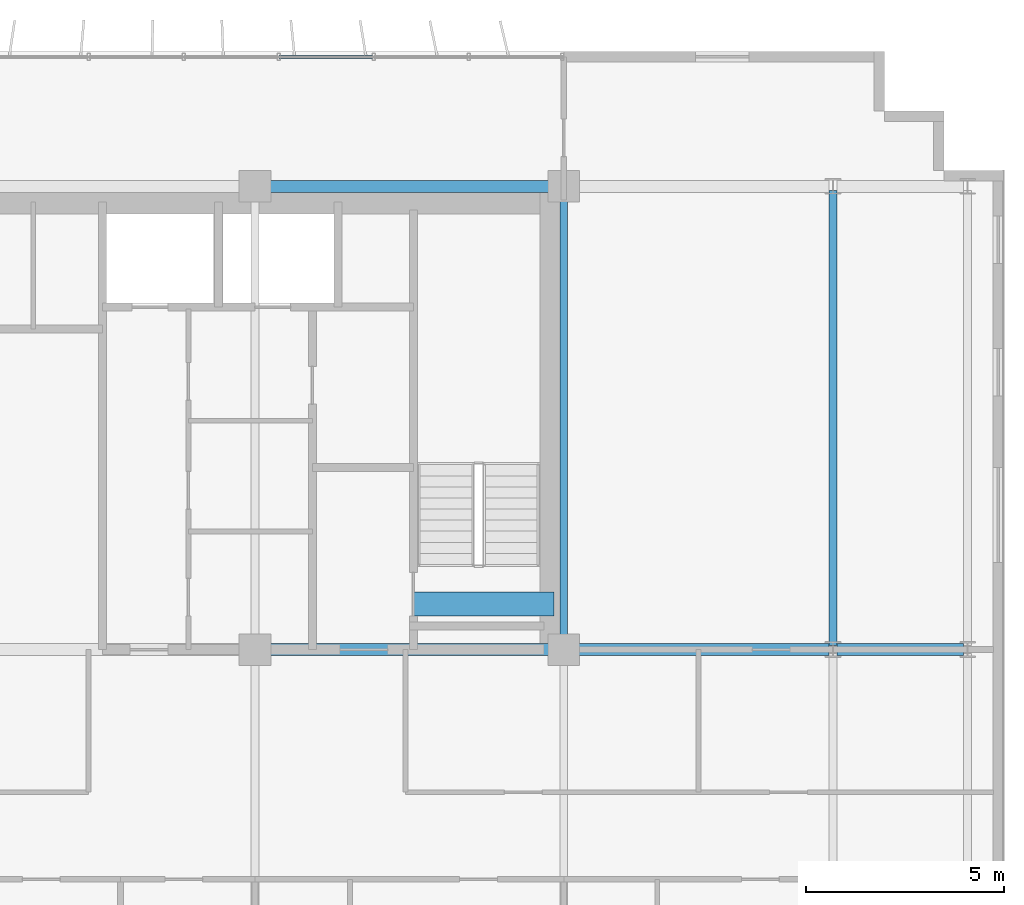
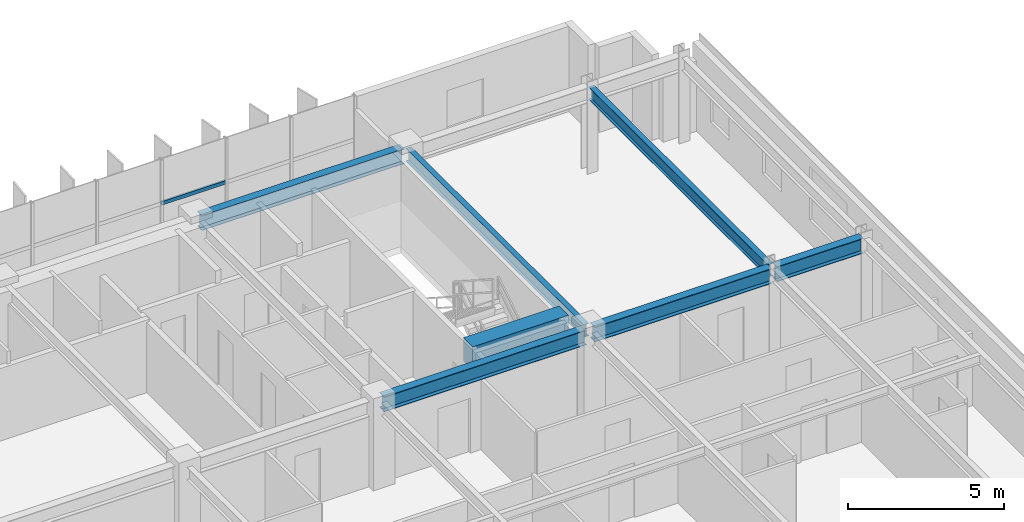
# One storey, part 10 of 22: 7 beams, 1 member, 1 element without a shape of its own.
"""IFC4 building model written with IfcOpenShell, lengths in metres."""

from ifc_helpers import new_model, si_unit, direction, frame, origin, origin_2d, place, context, subcontext, project, spatial, rectangle, hollow_rectangle, i_section, extrude, source, transform, mapped, material, material_profile, profile_set, type_object, element, aggregate, save


model = new_model("IFC4")

# Units and contexts
model_context = context("Model", 3, precision=1e-05, world=origin(), true_north=direction((0.0, 1.0)))
body_context = subcontext(model_context, "Body", "Model", "MODEL_VIEW")
ifc_project = project(units=[si_unit("LENGTHUNIT", "METRE"), si_unit("AREAUNIT", "SQUARE_METRE"), si_unit("VOLUMEUNIT", "CUBIC_METRE"), si_unit("PLANEANGLEUNIT", "RADIAN"), si_unit("MASSUNIT", "GRAM", prefix="KILO")], contexts=[model_context])

# Site, building, storey
site_placement = place(None, origin())
site = spatial("IfcSite", under=ifc_project, at=site_placement, CompositionType="ELEMENT")
building_placement = place(site_placement, origin())
building = spatial("IfcBuilding", under=site, at=building_placement, Name="Trelvane Seafront Commons", CompositionType="ELEMENT")
storey_placement = place(building_placement, frame((0.0, 0.0, 99.699951171875)))
storey = spatial("IfcBuildingStorey", under=building, at=storey_placement, Name="L25", CompositionType="ELEMENT", Elevation=99.699951171875)

# Beams
ifc_material_1 = material(Name="Concrete C60/75", Category="concrete")
ifc_material_profile_1 = material_profile(ifc_material_1, rectangle(XDim=0.60009765625, YDim=0.89990234375, at=origin_2d()), Name="RC-600x900")
ifc_profile_set_1 = profile_set([ifc_material_profile_1], Name="Concrete C60/75")
beam_type_1 = type_object("IfcBeamType", Name="STR-LNT-RC600x900", PredefinedType="LINTEL", material=ifc_profile_set_1)
shared_shape_1 = source(origin(), body_context, "Body", "SweptSolid", [
    extrude(rectangle(XDim=0.60009765625, YDim=0.89990234375, at=origin_2d()), origin(), (0.0, 0.0, 1.0), 3.550048828125),
])
beam_1_placement = place(storey_placement, frame((55.0, 34.550048828125, 2.89013671875), z_axis=(1.0, 0.0, 0.0), x_axis=(0.0, 1.0, 0.0)))
element("IfcBeam", 1, at=beam_1_placement, inside=storey, type_object=beam_type_1, Name="L25 Core Coupling Lintel Beam CB-86", PredefinedType="LINTEL", context=body_context, shape_type="MappedRepresentation", body=[
    mapped(shared_shape_1, transform((0.0, 0.0, 0.0), x_axis=(1.0, 0.0, 0.0), y_axis=(0.0, 1.0, 0.0), z_axis=(0.0, 0.0, 1.0), scale=1.0)),
])
ifc_material_2 = material(Name="Steel SM355 (S355)", Category="steel")
ifc_material_profile_2 = material_profile(ifc_material_2, i_section(OverallWidth=0.300048828125, OverallDepth=0.587890625, WebThickness=0.011962890625, FlangeThickness=0.02001953125, at=origin_2d()), Name="H-588x300x12x20")
ifc_profile_set_2 = profile_set([ifc_material_profile_2], Name="Steel SM355 (S355)")
beam_type_2 = type_object("IfcBeamType", Name="STR-BM-H588", PredefinedType="BEAM", material=ifc_profile_set_2)
shared_shape_2 = source(origin(), body_context, "Body", "SweptSolid", [
    extrude(i_section(OverallWidth=0.300048828125, OverallDepth=0.587890625, WebThickness=0.011962890625, FlangeThickness=0.02001953125, at=origin_2d()), origin(), (0.0, 0.0, 1.0), 3.199951171875),
])
beam_2_placement = place(storey_placement, frame((65.699951171875, 33.39990234375, 3.046142578125), z_axis=(1.0, 0.0, 0.0), x_axis=(0.0, 1.0, 0.0)))
element("IfcBeam", 2, at=beam_2_placement, inside=storey, type_object=beam_type_2, Name="L25 Primary Girder G-27", PredefinedType="BEAM", context=body_context, shape_type="MappedRepresentation", body=[
    mapped(shared_shape_2, transform((0.0, 0.0, 0.0), x_axis=(1.0, 0.0, 0.0), y_axis=(0.0, 1.0, 0.0), z_axis=(0.0, 0.0, 1.0), scale=1.0)),
])
shared_shape_3 = source(origin(), body_context, "Body", "SweptSolid", [
    extrude(i_section(OverallWidth=0.300048828125, OverallDepth=0.587890625, WebThickness=0.011962890625, FlangeThickness=0.02001953125, at=origin_2d()), origin(), (0.0, 0.0, 1.0), 6.550048828125),
])
beam_3_placement = place(storey_placement, frame((58.949951171875, 33.39990234375, 3.046142578125), z_axis=(1.0, 0.0, 0.0), x_axis=(0.0, 1.0, 0.0)))
element("IfcBeam", 3, at=beam_3_placement, inside=storey, type_object=beam_type_2, Name="L25 Primary Girder G-26", PredefinedType="BEAM", context=body_context, shape_type="MappedRepresentation", body=[
    mapped(shared_shape_3, transform((0.0, 0.0, 0.0), x_axis=(1.0, 0.0, 0.0), y_axis=(0.0, 1.0, 0.0), z_axis=(0.0, 0.0, 1.0), scale=1.0)),
])
shared_shape_4 = source(origin(), body_context, "Body", "SweptSolid", [
    extrude(i_section(OverallWidth=0.300048828125, OverallDepth=0.587890625, WebThickness=0.011962890625, FlangeThickness=0.02001953125, at=origin_2d()), origin(), (0.0, 0.0, 1.0), 7.5),
])
for number, where, z_axis, x_axis, name in (
    (4, (51.14990234375, 33.39990234375, 3.046142578125), (1.0, 0.0, 0.0), (0.0, 1.0, 0.0), "L25 Primary Girder G-25"),
    (5, (51.14990234375, 45.10009765625, 3.046142578125), (1.0, 0.0, 0.0), (0.0, 1.0, 0.0), "L25 Primary Girder G-34"),
):
    element("IfcBeam", number, at=place(storey_placement, frame(where, z_axis=z_axis, x_axis=x_axis)), inside=storey, type_object=beam_type_2, Name=name, PredefinedType="BEAM", context=body_context, shape_type="MappedRepresentation", body=[
        mapped(shared_shape_4, transform((0.0, 0.0, 0.0), x_axis=(1.0, 0.0, 0.0), y_axis=(0.0, 1.0, 0.0), z_axis=(0.0, 0.0, 1.0), scale=1.0)),
    ])
ifc_material_profile_3 = material_profile(ifc_material_2, i_section(OverallWidth=0.199951171875, OverallDepth=0.5, WebThickness=0.010009765625, FlangeThickness=0.01611328125, at=origin_2d()), Name="H-500x200x10x16")
ifc_profile_set_3 = profile_set([ifc_material_profile_3], Name="Steel SM355 (S355)")
beam_type_3 = type_object("IfcBeamType", Name="STR-BM-H500", PredefinedType="BEAM", material=ifc_profile_set_3)
shared_shape_5 = source(origin(), body_context, "Body", "SweptSolid", [
    extrude(i_section(OverallWidth=0.199951171875, OverallDepth=0.5, WebThickness=0.010009765625, FlangeThickness=0.01611328125, at=origin_2d()), origin(), (0.0, 0.0, 1.0), 11.5),
])
beam_4_placement = place(storey_placement, frame((65.60009765625, 33.5, 3.090087890625), z_axis=(0.0, 1.0, 0.0), x_axis=(-1.0, 0.0, 0.0)))
element("IfcBeam", 6, at=beam_4_placement, inside=storey, type_object=beam_type_3, Name="L25 Primary Girder G-63", PredefinedType="BEAM", context=body_context, shape_type="MappedRepresentation", body=[
    mapped(shared_shape_5, transform((0.0, 0.0, 0.0), x_axis=(1.0, 0.0, 0.0), y_axis=(0.0, 1.0, 0.0), z_axis=(0.0, 0.0, 1.0), scale=1.0)),
])
shared_shape_6 = source(origin(), body_context, "Body", "SweptSolid", [
    extrude(i_section(OverallWidth=0.199951171875, OverallDepth=0.5, WebThickness=0.010009765625, FlangeThickness=0.01611328125, at=origin_2d()), origin(), (0.0, 0.0, 1.0), 11.39990234375),
])
beam_5_placement = place(storey_placement, frame((58.800048828125, 33.550048828125, 3.090087890625), z_axis=(0.0, 1.0, 0.0), x_axis=(-1.0, 0.0, 0.0)))
element("IfcBeam", 7, at=beam_5_placement, inside=storey, type_object=beam_type_3, Name="L25 Primary Girder G-60", PredefinedType="BEAM", context=body_context, shape_type="MappedRepresentation", body=[
    mapped(shared_shape_6, transform((0.0, 0.0, 0.0), x_axis=(1.0, 0.0, 0.0), y_axis=(0.0, 1.0, 0.0), z_axis=(0.0, 0.0, 1.0), scale=1.0)),
])

# Curtain wall, member
ifc_material_3 = material(Name="Anodised pale-silver aluminium", Category="aluminium")
curtain_wall_type = type_object("IfcCurtainWallType", Name="ARCH-CW4-SKYLOBBY", PredefinedType="NOTDEFINED", material=ifc_material_3)
curtain_wall_placement = place(storey_placement, origin())
curtain_wall = element("IfcCurtainWall", 8, at=curtain_wall_placement, inside=storey, type_object=curtain_wall_type, Name="CW-L25-0050", PredefinedType="NOTDEFINED")
ifc_material_profile_4 = material_profile(ifc_material_3, hollow_rectangle(XDim=0.074951171875, YDim=0.139892578125, WallThickness=0.00390625, at=origin_2d()), Name="TRAN-75x140x4")
ifc_profile_set_4 = profile_set([ifc_material_profile_4], Name="Anodised pale-silver aluminium")
member_type = type_object("IfcMemberType", Name="ARCH-CW-TRAN-140", PredefinedType="USERDEFINED", material=ifc_profile_set_4)
shared_shape_7 = source(origin(), body_context, "Body", "SweptSolid", [
    extrude(hollow_rectangle(XDim=0.074951171875, YDim=0.139892578125, WallThickness=0.00390625, at=origin_2d()), origin(), (0.0, 0.0, 1.0), 2.3759765625),
])
member_placement = place(storey_placement, frame((51.612060546875, 48.3701171875, 1.60302734375), z_axis=(1.0, 0.0, 0.0), x_axis=(0.0, 1.0, 0.0)))
member = element("IfcMember", 9, at=member_placement, type_object=member_type, Name="CW-L25-0050-T15", ObjectType="TRANSOM", PredefinedType="USERDEFINED", context=body_context, shape_type="MappedRepresentation", body=[
    mapped(shared_shape_7, transform((0.0, 0.0, 0.0), x_axis=(1.0, 0.0, 0.0), y_axis=(0.0, 1.0, 0.0), z_axis=(0.0, 0.0, 1.0), scale=1.0)),
])
aggregate(curtain_wall, [member])

save(model, "model.ifc")
